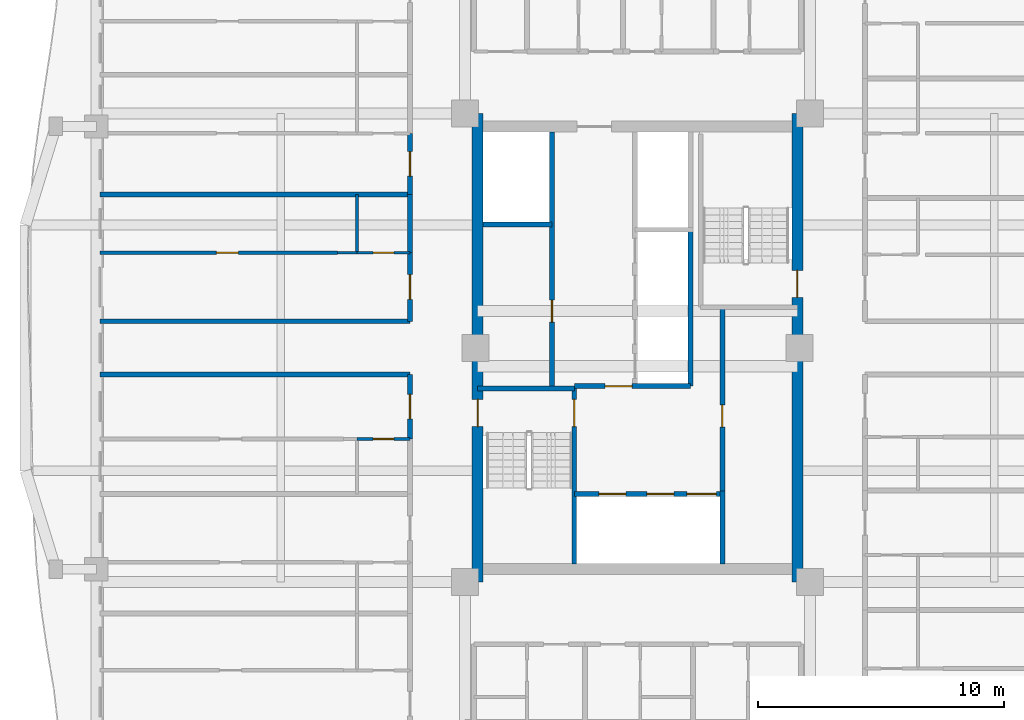
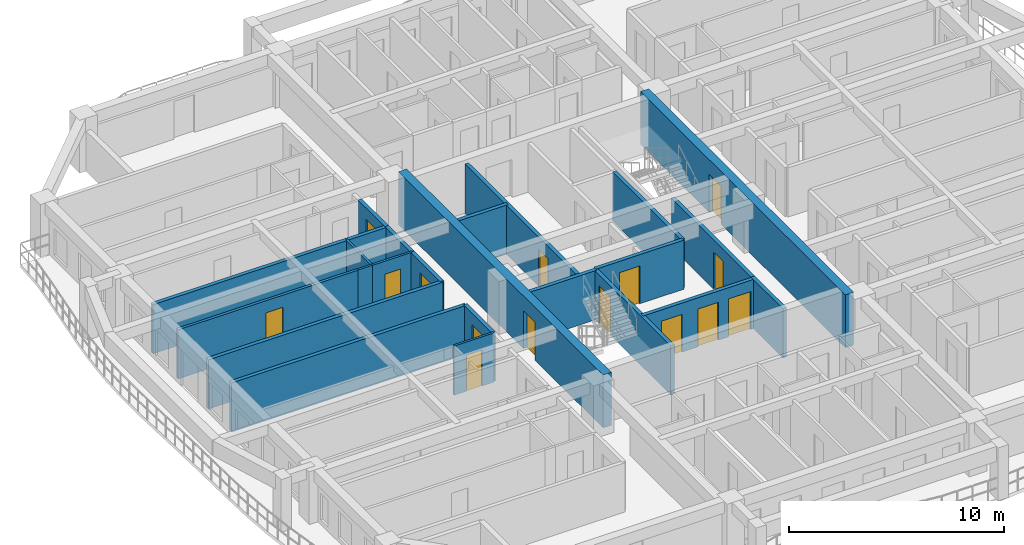
# One storey, part 4 of 15: 23 walls, 15 doors, 15 openings.
"""IFC4 building model written with IfcOpenShell, lengths in metres."""

from ifc_helpers import new_model, si_unit, direction, frame, frame_2d, origin, place, context, subcontext, project, spatial, rectangle, extrude, source, transform, mapped, material, layer, layer_set, type_object, element, fill, save


model = new_model("IFC4")

# Units and contexts
model_context = context("Model", 3, precision=1e-05, world=origin(), true_north=direction((0.0, 1.0)))
body_context = subcontext(model_context, "Body", "Model", "MODEL_VIEW")
ifc_project = project(units=[si_unit("LENGTHUNIT", "METRE"), si_unit("AREAUNIT", "SQUARE_METRE"), si_unit("VOLUMEUNIT", "CUBIC_METRE"), si_unit("PLANEANGLEUNIT", "RADIAN"), si_unit("MASSUNIT", "GRAM", prefix="KILO")], contexts=[model_context])

# Site, building, storey
site_placement = place(None, origin())
site = spatial("IfcSite", under=ifc_project, at=site_placement, CompositionType="ELEMENT")
building_placement = place(site_placement, origin())
building = spatial("IfcBuilding", under=site, at=building_placement, Name="Saelheon Loggia Tower", CompositionType="ELEMENT")
storey_placement = place(building_placement, frame((0.0, 0.0, 163.0)))
storey = spatial("IfcBuildingStorey", under=building, at=storey_placement, Name="L51", CompositionType="ELEMENT", Elevation=163.0)

# Wall, opening, door
ifc_material_1 = material(Name="Concrete C45/55", Category="concrete")
ifc_layer_1 = layer(ifc_material_1, 0.449951171875)
ifc_layer_set_1 = layer_set([ifc_layer_1], Name="Concrete C45/55")
wall_type_1 = type_object("IfcWallType", Name="Wall_CoreShear_450", PredefinedType="SHEAR", material=ifc_layer_set_1)
wall_1_placement = place(storey_placement, frame((31.5, 17.47998046875, 0.0), z_axis=(0.0, 0.0, 1.0), x_axis=(0.0, 1.0, 0.0)))
wall_1 = element("IfcWall", 1, at=wall_1_placement, inside=storey, type_object=wall_type_1, Name="L51 Core Shear Wall West", PredefinedType="SHEAR", context=body_context, shape_type="SweptSolid", body=[
    extrude(rectangle(XDim=19.0400390625, YDim=0.449951171875, at=frame_2d((9.52001953125, 0.0))), origin(), (0.0, 0.0, 1.0), 3.0),
])
opening_1_placement = place(wall_1_placement, frame((6.320068359375, 0.0, 0.0)))
opening_1 = element("IfcOpeningElement", 2, at=opening_1_placement, cuts=wall_1, Name="Opening D-FD2", PredefinedType="OPENING", context=body_context, shape_type="SweptSolid", body=[
    extrude(rectangle(XDim=1.10009765625, YDim=2.14990234375, at=frame_2d((0.550048828125, 1.074951171875))), frame((0.0, 0.237060546875, 0.0), z_axis=(0.0, -1.0, 0.0), x_axis=(1.0, 0.0, 0.0)), (0.0, 0.0, 1.0), 0.473876953125),
])
ifc_material_2 = material(Name="Galvanised Steel Fire Door", Category="steel")
door_type_1 = type_object("IfcDoorType", Name="Door_Fire_FD60_1100", OperationType="NOTDEFINED", PredefinedType="DOOR", material=ifc_material_2)
shared_shape_1 = source(origin(), body_context, "Body", "SweptSolid", [
    extrude(rectangle(XDim=1.10009765625, YDim=2.14990234375, at=frame_2d((0.550048828125, 1.074951171875))), frame((0.0, 0.02490234375, 0.0), z_axis=(0.0, -1.0, 0.0), x_axis=(1.0, 0.0, 0.0)), (0.0, 0.0, 1.0), 0.050048828125),
])
door_1_placement = place(opening_1_placement, origin())
door_1 = element("IfcDoor", 3, at=door_1_placement, inside=storey, type_object=door_type_1, Name="L51 Stair ST1 Corridor Door", OperationType="SINGLE_SWING_LEFT", OverallHeight=2.14990234375, OverallWidth=1.10009765625, PredefinedType="DOOR", context=body_context, shape_type="MappedRepresentation", body=[
    mapped(shared_shape_1, transform((0.0, 0.0, 0.0), scale=1.0)),
])
fill(opening_1, door_1)

wall_2_placement = place(storey_placement, frame((44.5, 17.47998046875, 0.0), z_axis=(0.0, 0.0, 1.0), x_axis=(0.0, 1.0, 0.0)))
wall_2 = element("IfcWall", 4, at=wall_2_placement, inside=storey, type_object=wall_type_1, Name="L51 Core Shear Wall East", PredefinedType="SHEAR", context=body_context, shape_type="SweptSolid", body=[
    extrude(rectangle(XDim=19.0400390625, YDim=0.449951171875, at=frame_2d((9.52001953125, 0.0))), origin(), (0.0, 0.0, 1.0), 3.0),
])
opening_2_placement = place(wall_2_placement, frame((12.670166015625, 0.0, 0.0), z_axis=(0.0, 0.0, 1.0), x_axis=(-1.0, 0.0, 0.0)))
opening_2 = element("IfcOpeningElement", 5, at=opening_2_placement, cuts=wall_2, Name="Opening D-FD2", PredefinedType="OPENING", context=body_context, shape_type="SweptSolid", body=[
    extrude(rectangle(XDim=1.10009765625, YDim=2.14990234375, at=frame_2d((0.550048828125, 1.074951171875))), frame((0.0, 0.237060546875, 0.0), z_axis=(0.0, -1.0, 0.0), x_axis=(1.0, 0.0, 0.0)), (0.0, 0.0, 1.0), 0.473876953125),
])
door_2_placement = place(opening_2_placement, origin())
door_2 = element("IfcDoor", 6, at=door_2_placement, inside=storey, type_object=door_type_1, Name="L51 Stair ST2 Corridor Door", OperationType="SINGLE_SWING_RIGHT", OverallHeight=2.14990234375, OverallWidth=1.10009765625, PredefinedType="DOOR", context=body_context, shape_type="MappedRepresentation", body=[
    mapped(shared_shape_1, transform((0.0, 0.0, 0.0), scale=1.0)),
])
fill(opening_2, door_2)

ifc_material_3 = material(Name="Lightweight Autoclaved Aerated Concrete Block and Acoustic Gypsum", Category="concrete")
ifc_layer_2 = layer(ifc_material_3, 0.14990234375)
ifc_layer_set_2 = layer_set([ifc_layer_2], Name="Lightweight Autoclaved Aerated Concrete Block and Acoustic Gypsum")
wall_type_2 = type_object("IfcWallType", Name="Wall_Part_150", PredefinedType="PARTITIONING", material=ifc_layer_set_2)
wall_3_placement = place(storey_placement, frame((25.81005859375, 30.865966796875, 0.0), z_axis=(0.0, 0.0, 1.0), x_axis=(-1.0, 0.0, 0.0)))
wall_3 = element("IfcWall", 7, at=wall_3_placement, inside=storey, type_object=wall_type_2, Name="L51 WN Partition U08", PredefinedType="PARTITIONING", context=body_context, shape_type="SweptSolid", body=[
    extrude(rectangle(XDim=9.66015625, YDim=0.14990234375, at=frame_2d((4.830078125, 0.0))), origin(), (0.0, 0.0, 1.0), 2.7900390625),
])
opening_3_placement = place(wall_3_placement, frame((4.034912109375, 0.0, 0.0)))
opening_3 = element("IfcOpeningElement", 8, at=opening_3_placement, cuts=wall_3, Name="Opening D-IN2", PredefinedType="OPENING", context=body_context, shape_type="SweptSolid", body=[
    extrude(rectangle(XDim=0.89990234375, YDim=2.10009765625, at=frame_2d((0.449951171875, 1.050048828125))), frame((0.0, 0.0869140625, 0.0), z_axis=(0.0, -1.0, 0.0), x_axis=(1.0, 0.0, 0.0)), (0.0, 0.0, 1.0), 0.173828125),
])
ifc_material_4 = material(Name="Engineered Oak Flush Door", Category="timber")
door_type_2 = type_object("IfcDoorType", Name="Door_Int_900", OperationType="NOTDEFINED", PredefinedType="DOOR", material=ifc_material_4)
shared_shape_2 = source(origin(), body_context, "Body", "SweptSolid", [
    extrude(rectangle(XDim=0.89990234375, YDim=2.10009765625, at=frame_2d((0.449951171875, 1.050048828125))), frame((0.0, 0.02490234375, 0.0), z_axis=(0.0, -1.0, 0.0), x_axis=(1.0, 0.0, 0.0)), (0.0, 0.0, 1.0), 0.050048828125),
])
door_3_placement = place(opening_3_placement, origin())
door_3 = element("IfcDoor", 9, at=door_3_placement, inside=storey, type_object=door_type_2, Name="Unit U10 Kitchen Door", OperationType="SINGLE_SWING_RIGHT", OverallHeight=2.10009765625, OverallWidth=0.89990234375, PredefinedType="DOOR", context=body_context, shape_type="MappedRepresentation", body=[
    mapped(shared_shape_2, transform((0.0, 0.0, 0.0), scale=1.0)),
])
fill(opening_3, door_3)

# Wall
ifc_material_5 = material(Name="Double Acoustic Stud and Fireboard Partition", Category="gypsum")
ifc_layer_3 = layer(ifc_material_5, 0.199951171875)
ifc_layer_set_3 = layer_set([ifc_layer_3], Name="Double Acoustic Stud and Fireboard Partition")
wall_type_3 = type_object("IfcWallType", Name="Wall_Party_200", PredefinedType="PARTITIONING", material=ifc_layer_set_3)
wall_4_placement = place(storey_placement, frame((28.75, 25.919921875, 0.0), z_axis=(0.0, 0.0, 1.0), x_axis=(-1.0, 0.0, 0.0)))
element("IfcWall", 10, at=wall_4_placement, inside=storey, type_object=wall_type_3, Name="L51 WS Partition U02", PredefinedType="PARTITIONING", context=body_context, shape_type="SweptSolid", body=[
    extrude(rectangle(XDim=12.60009765625, YDim=0.199951171875, at=frame_2d((6.300048828125, 0.0))), origin(), (0.0, 0.0, 1.0), 2.7900390625),
])

# Wall, opening, door
wall_5_placement = place(storey_placement, frame((28.75, 23.293212890625, 0.0), z_axis=(0.0, 0.0, 1.0), x_axis=(0.0, 1.0, 0.0)))
wall_5 = element("IfcWall", 11, at=wall_5_placement, inside=storey, type_object=wall_type_3, Name="L51 WS Partition V18", PredefinedType="PARTITIONING", context=body_context, shape_type="SweptSolid", body=[
    extrude(rectangle(XDim=2.626708984375, YDim=0.199951171875, at=frame_2d((1.3134765625, 0.0))), origin(), (0.0, 0.0, 1.0), 2.7900390625),
])
opening_4_placement = place(wall_5_placement, frame((0.8134765625, 0.0, 0.0)))
opening_4 = element("IfcOpeningElement", 12, at=opening_4_placement, cuts=wall_5, Name="Opening D-FD1", PredefinedType="OPENING", context=body_context, shape_type="SweptSolid", body=[
    extrude(rectangle(XDim=1.0, YDim=2.14990234375, at=frame_2d((0.5, 1.074951171875))), frame((0.0, 0.112060546875, 0.0), z_axis=(0.0, -1.0, 0.0), x_axis=(1.0, 0.0, 0.0)), (0.0, 0.0, 1.0), 0.223876953125),
])
ifc_material_6 = material(Name="Fire-Rated Engineered Timber Entrance Door", Category="wood")
door_type_3 = type_object("IfcDoorType", Name="Door_Flat_FD30S", OperationType="NOTDEFINED", PredefinedType="DOOR", material=ifc_material_6)
shared_shape_3 = source(origin(), body_context, "Body", "SweptSolid", [
    extrude(rectangle(XDim=1.0, YDim=2.14990234375, at=frame_2d((0.5, 1.074951171875))), frame((0.0, 0.02490234375, 0.0), z_axis=(0.0, -1.0, 0.0), x_axis=(1.0, 0.0, 0.0)), (0.0, 0.0, 1.0), 0.050048828125),
])
door_4_placement = place(opening_4_placement, origin())
door_4 = element("IfcDoor", 13, at=door_4_placement, inside=storey, type_object=door_type_3, Name="Unit U09 Entrance Door", OperationType="SINGLE_SWING_LEFT", OverallHeight=2.14990234375, OverallWidth=1.0, PredefinedType="DOOR", context=body_context, shape_type="MappedRepresentation", body=[
    mapped(shared_shape_3, transform((0.0, 0.0, 0.0), scale=1.0)),
])
fill(opening_4, door_4)

# Wall
wall_6_placement = place(storey_placement, frame((28.75, 28.080078125, 0.0), z_axis=(0.0, 0.0, 1.0), x_axis=(-1.0, 0.0, 0.0)))
element("IfcWall", 14, at=wall_6_placement, inside=storey, type_object=wall_type_3, Name="L51 WN Partition U01", PredefinedType="PARTITIONING", context=body_context, shape_type="SweptSolid", body=[
    extrude(rectangle(XDim=12.60009765625, YDim=0.199951171875, at=frame_2d((6.300048828125, 0.0))), origin(), (0.0, 0.0, 1.0), 2.7900390625),
])

# Wall, opening, door
wall_7_placement = place(storey_placement, frame((28.75, 28.080078125, 0.0), z_axis=(0.0, 0.0, 1.0), x_axis=(0.0, 1.0, 0.0)))
wall_7 = element("IfcWall", 15, at=wall_7_placement, inside=storey, type_object=wall_type_3, Name="L51 WN Partition V03", PredefinedType="PARTITIONING", context=body_context, shape_type="SweptSolid", body=[
    extrude(rectangle(XDim=2.785888671875, YDim=0.199951171875, at=frame_2d((1.39306640625, 0.0))), origin(), (0.0, 0.0, 1.0), 2.7900390625),
])
opening_5_placement = place(wall_7_placement, frame((0.89306640625, 0.0, 0.0)))
opening_5 = element("IfcOpeningElement", 16, at=opening_5_placement, cuts=wall_7, Name="Opening D-FD1", PredefinedType="OPENING", context=body_context, shape_type="SweptSolid", body=[
    extrude(rectangle(XDim=1.0, YDim=2.14990234375, at=frame_2d((0.5, 1.074951171875))), frame((0.0, 0.112060546875, 0.0), z_axis=(0.0, -1.0, 0.0), x_axis=(1.0, 0.0, 0.0)), (0.0, 0.0, 1.0), 0.223876953125),
])
door_5_placement = place(opening_5_placement, origin())
door_5 = element("IfcDoor", 17, at=door_5_placement, inside=storey, type_object=door_type_3, Name="Unit U10 Entrance Door", OperationType="SINGLE_SWING_RIGHT", OverallHeight=2.14990234375, OverallWidth=1.0, PredefinedType="DOOR", context=body_context, shape_type="MappedRepresentation", body=[
    mapped(shared_shape_3, transform((0.0, 0.0, 0.0), scale=1.0)),
])
fill(opening_5, door_5)

# Walls
wall_8_placement = place(storey_placement, frame((28.75, 30.865966796875, 0.0), z_axis=(0.0, 0.0, 1.0), x_axis=(0.0, 1.0, 0.0)))
element("IfcWall", 18, at=wall_8_placement, inside=storey, type_object=wall_type_3, Name="L51 WN Partition V04", PredefinedType="PARTITIONING", context=body_context, shape_type="SweptSolid", body=[
    extrude(rectangle(XDim=2.373046875, YDim=0.199951171875, at=frame_2d((1.1865234375, 0.0))), origin(), (0.0, 0.0, 1.0), 2.7900390625),
])
wall_9_placement = place(storey_placement, frame((28.75, 33.239013671875, 0.0), z_axis=(0.0, 0.0, 1.0), x_axis=(-1.0, 0.0, 0.0)))
element("IfcWall", 19, at=wall_9_placement, inside=storey, type_object=wall_type_3, Name="L51 WN Partition U09", PredefinedType="PARTITIONING", context=body_context, shape_type="SweptSolid", body=[
    extrude(rectangle(XDim=12.60009765625, YDim=0.199951171875, at=frame_2d((6.300048828125, 0.0))), origin(), (0.0, 0.0, 1.0), 2.7900390625),
])

# Wall, opening, door
wall_10_placement = place(storey_placement, frame((28.75, 33.239013671875, 0.0), z_axis=(0.0, 0.0, 1.0), x_axis=(0.0, 1.0, 0.0)))
wall_10 = element("IfcWall", 20, at=wall_10_placement, inside=storey, type_object=wall_type_3, Name="L51 WN Partition V10", PredefinedType="PARTITIONING", context=body_context, shape_type="SweptSolid", body=[
    extrude(rectangle(XDim=2.48095703125, YDim=0.199951171875, at=frame_2d((1.240478515625, 0.0))), origin(), (0.0, 0.0, 1.0), 2.7900390625),
])
opening_6_placement = place(wall_10_placement, frame((0.740478515625, 0.0, 0.0)))
opening_6 = element("IfcOpeningElement", 21, at=opening_6_placement, cuts=wall_10, Name="Opening D-FD1", PredefinedType="OPENING", context=body_context, shape_type="SweptSolid", body=[
    extrude(rectangle(XDim=1.0, YDim=2.14990234375, at=frame_2d((0.5, 1.074951171875))), frame((0.0, 0.112060546875, 0.0), z_axis=(0.0, -1.0, 0.0), x_axis=(1.0, 0.0, 0.0)), (0.0, 0.0, 1.0), 0.223876953125),
])
door_6_placement = place(opening_6_placement, origin())
door_6 = element("IfcDoor", 22, at=door_6_placement, inside=storey, type_object=door_type_3, Name="Unit U11 Entrance Door", OperationType="SINGLE_SWING_LEFT", OverallHeight=2.14990234375, OverallWidth=1.0, PredefinedType="DOOR", context=body_context, shape_type="MappedRepresentation", body=[
    mapped(shared_shape_3, transform((0.0, 0.0, 0.0), scale=1.0)),
])
fill(opening_6, door_6)

# Wall
ifc_material_7 = material(Name="Concrete C40/50", Category="concrete")
ifc_layer_4 = layer(ifc_material_7, 0.199951171875)
ifc_layer_set_4 = layer_set([ifc_layer_4], Name="Concrete C40/50")
wall_type_4 = type_object("IfcWallType", Name="Wall_Shaft_200", PredefinedType="PARTITIONING", material=ifc_layer_set_4)
wall_11_placement = place(storey_placement, frame((41.449951171875, 18.219970703125, 0.0), z_axis=(0.0, 0.0, 1.0), x_axis=(0.0, 1.0, 0.0)))
element("IfcWall", 23, at=wall_11_placement, inside=storey, type_object=wall_type_4, Name="CW-INT-L51-BOH-W0", PredefinedType="PARTITIONING", context=body_context, shape_type="SweptSolid", body=[
    extrude(rectangle(XDim=2.9599609375, YDim=0.199951171875, at=frame_2d((1.47998046875, 0.0))), origin(), (0.0, 0.0, 1.0), 2.7900390625),
])

# Wall, opening, door
wall_12_placement = place(storey_placement, frame((41.449951171875, 21.179931640625, 0.0), z_axis=(0.0, 0.0, 1.0), x_axis=(0.0, 1.0, 0.0)))
wall_12 = element("IfcWall", 24, at=wall_12_placement, inside=storey, type_object=wall_type_4, Name="CW-INT-L51-BOH-W1", PredefinedType="PARTITIONING", context=body_context, shape_type="SweptSolid", body=[
    extrude(rectangle(XDim=7.420166015625, YDim=0.199951171875, at=frame_2d((3.7099609375, 0.0))), origin(), (0.0, 0.0, 1.0), 2.7900390625),
])
opening_7_placement = place(wall_12_placement, frame((2.60009765625, 0.0, 0.0)))
opening_7 = element("IfcOpeningElement", 25, at=opening_7_placement, cuts=wall_12, Name="Opening D-RS1", PredefinedType="OPENING", context=body_context, shape_type="SweptSolid", body=[
    extrude(rectangle(XDim=0.89990234375, YDim=2.10009765625, at=frame_2d((0.449951171875, 1.050048828125))), frame((0.0, 0.112060546875, 0.0), z_axis=(0.0, -1.0, 0.0), x_axis=(1.0, 0.0, 0.0)), (0.0, 0.0, 1.0), 0.223876953125),
])
ifc_material_8 = material(Name="Galvanised Steel Riser Access Door", Category="steel")
door_type_4 = type_object("IfcDoorType", Name="Door_Riser_FD60", OperationType="NOTDEFINED", PredefinedType="DOOR", material=ifc_material_8)
door_7_placement = place(opening_7_placement, origin())
door_7 = element("IfcDoor", 26, at=door_7_placement, inside=storey, type_object=door_type_4, Name="L51 Core Service Store Door", OperationType="SINGLE_SWING_RIGHT", OverallHeight=2.10009765625, OverallWidth=0.89990234375, PredefinedType="DOOR", context=body_context, shape_type="MappedRepresentation", body=[
    mapped(shared_shape_2, transform((0.0, 0.0, 0.0), scale=1.0)),
])
fill(opening_7, door_7)

# Wall
wall_13_placement = place(storey_placement, frame((40.14990234375, 25.43994140625, 0.0), z_axis=(0.0, 0.0, 1.0), x_axis=(0.0, 1.0, 0.0)))
element("IfcWall", 27, at=wall_13_placement, inside=storey, type_object=wall_type_4, Name="L51 Core Service Passage West Wall", PredefinedType="PARTITIONING", context=body_context, shape_type="SweptSolid", body=[
    extrude(rectangle(XDim=6.360107421875, YDim=0.199951171875, at=frame_2d((3.18017578125, 0.0))), origin(), (0.0, 0.0, 1.0), 2.7900390625),
])

# Wall, openings, doors
wall_14_placement = place(storey_placement, frame((35.429931640625, 21.06005859375, 0.0), z_axis=(0.0, 0.0, 1.0), x_axis=(1.0, 0.0, 0.0)))
wall_14 = element("IfcWall", 28, at=wall_14_placement, inside=storey, type_object=wall_type_4, Name="L51 Firefighting Lift Shaft Front Wall", PredefinedType="PARTITIONING", context=body_context, shape_type="SweptSolid", body=[
    extrude(rectangle(XDim=6.02001953125, YDim=0.199951171875, at=frame_2d((3.010009765625, 0.0))), origin(), (0.0, 0.0, 1.0), 2.7900390625),
])
opening_8_placement = place(wall_14_placement, frame((1.0, 0.0, 0.0)))
opening_8 = element("IfcOpeningElement", 29, at=opening_8_placement, cuts=wall_14, Name="Opening LD2", PredefinedType="OPENING", context=body_context, shape_type="SweptSolid", body=[
    extrude(rectangle(XDim=1.10009765625, YDim=2.14990234375, at=frame_2d((0.550048828125, 1.074951171875))), frame((0.0, 0.112060546875, 0.0), z_axis=(0.0, -1.0, 0.0), x_axis=(1.0, 0.0, 0.0)), (0.0, 0.0, 1.0), 0.223876953125),
])
opening_9_placement = place(wall_14_placement, frame((2.949951171875, 0.0, 0.0)))
opening_9 = element("IfcOpeningElement", 30, at=opening_9_placement, cuts=wall_14, Name="Opening LD2", PredefinedType="OPENING", context=body_context, shape_type="SweptSolid", body=[
    extrude(rectangle(XDim=1.10009765625, YDim=2.14990234375, at=frame_2d((0.550048828125, 1.074951171875))), frame((0.0, 0.112060546875, 0.0), z_axis=(0.0, -1.0, 0.0), x_axis=(1.0, 0.0, 0.0)), (0.0, 0.0, 1.0), 0.223876953125),
])
opening_10_placement = place(wall_14_placement, frame((4.580078125, 0.0, 0.0)))
opening_10 = element("IfcOpeningElement", 31, at=opening_10_placement, cuts=wall_14, Name="Opening LD3", PredefinedType="OPENING", context=body_context, shape_type="SweptSolid", body=[
    extrude(rectangle(XDim=1.199951171875, YDim=2.14990234375, at=frame_2d((0.60009765625, 1.074951171875))), frame((0.0, 0.112060546875, 0.0), z_axis=(0.0, -1.0, 0.0), x_axis=(1.0, 0.0, 0.0)), (0.0, 0.0, 1.0), 0.223876953125),
])
ifc_material_9 = material(Name="Firefighting Stainless Steel 316 Landing Door", Category="steel")
door_type_5 = type_object("IfcDoorType", Name="Door_Lift_LD2", OperationType="DOUBLE_DOOR_SLIDING", PredefinedType="DOOR", material=ifc_material_9)
door_8_placement = place(opening_8_placement, origin())
door_8 = element("IfcDoor", 32, at=door_8_placement, inside=storey, type_object=door_type_5, Name="L51 FF1 Landing Door", OperationType="DOUBLE_DOOR_SLIDING", OverallHeight=2.14990234375, OverallWidth=1.10009765625, PredefinedType="DOOR", context=body_context, shape_type="MappedRepresentation", body=[
    mapped(shared_shape_1, transform((0.0, 0.0, 0.0), scale=1.0)),
])
fill(opening_8, door_8)
door_9_placement = place(opening_9_placement, origin())
door_9 = element("IfcDoor", 33, at=door_9_placement, inside=storey, type_object=door_type_5, Name="L51 FF2 Landing Door", OperationType="DOUBLE_DOOR_SLIDING", OverallHeight=2.14990234375, OverallWidth=1.10009765625, PredefinedType="DOOR", context=body_context, shape_type="MappedRepresentation", body=[
    mapped(shared_shape_1, transform((0.0, 0.0, 0.0), scale=1.0)),
])
fill(opening_9, door_9)
ifc_material_10 = material(Name="Stretcher Lift Stainless Steel 304 Landing Door", Category="steel")
door_type_6 = type_object("IfcDoorType", Name="Door_Lift_LD3", OperationType="DOUBLE_DOOR_SLIDING", PredefinedType="DOOR", material=ifc_material_10)
shared_shape_4 = source(origin(), body_context, "Body", "SweptSolid", [
    extrude(rectangle(XDim=1.199951171875, YDim=2.14990234375, at=frame_2d((0.60009765625, 1.074951171875))), frame((0.0, 0.02490234375, 0.0), z_axis=(0.0, -1.0, 0.0), x_axis=(1.0, 0.0, 0.0)), (0.0, 0.0, 1.0), 0.050048828125),
])
door_10_placement = place(opening_10_placement, origin())
door_10 = element("IfcDoor", 34, at=door_10_placement, inside=storey, type_object=door_type_6, Name="L51 SV1 Landing Door", OperationType="DOUBLE_DOOR_SLIDING", OverallHeight=2.14990234375, OverallWidth=1.199951171875, PredefinedType="DOOR", context=body_context, shape_type="MappedRepresentation", body=[
    mapped(shared_shape_4, transform((0.0, 0.0, 0.0), scale=1.0)),
])
fill(opening_10, door_10)

# Wall, opening, door
wall_15_placement = place(storey_placement, frame((35.429931640625, 25.43994140625, 0.0), z_axis=(0.0, 0.0, 1.0), x_axis=(1.0, 0.0, 0.0)))
wall_15 = element("IfcWall", 35, at=wall_15_placement, inside=storey, type_object=wall_type_4, Name="L51 Firefighting Lobby Compartment Wall", PredefinedType="PARTITIONING", context=body_context, shape_type="SweptSolid", body=[
    extrude(rectangle(XDim=4.719970703125, YDim=0.199951171875, at=frame_2d((2.35986328125, 0.0))), origin(), (0.0, 0.0, 1.0), 2.7900390625),
])
opening_11_placement = place(wall_15_placement, frame((1.25, 0.0, 0.0)))
opening_11 = element("IfcOpeningElement", 36, at=opening_11_placement, cuts=wall_15, Name="Opening D-FD2", PredefinedType="OPENING", context=body_context, shape_type="SweptSolid", body=[
    extrude(rectangle(XDim=1.10009765625, YDim=2.14990234375, at=frame_2d((0.550048828125, 1.074951171875))), frame((0.0, 0.112060546875, 0.0), z_axis=(0.0, -1.0, 0.0), x_axis=(1.0, 0.0, 0.0)), (0.0, 0.0, 1.0), 0.223876953125),
])
door_11_placement = place(opening_11_placement, origin())
door_11 = element("IfcDoor", 37, at=door_11_placement, inside=storey, type_object=door_type_1, Name="L51 Firefighting Lobby Door", OperationType="SINGLE_SWING_LEFT", OverallHeight=2.14990234375, OverallWidth=1.10009765625, PredefinedType="DOOR", context=body_context, shape_type="MappedRepresentation", body=[
    mapped(shared_shape_1, transform((0.0, 0.0, 0.0), scale=1.0)),
])
fill(opening_11, door_11)

wall_16_placement = place(storey_placement, frame((34.52001953125, 25.43994140625, 0.0), z_axis=(0.0, 0.0, 1.0), x_axis=(0.0, 1.0, 0.0)))
wall_16 = element("IfcWall", 38, at=wall_16_placement, inside=storey, type_object=wall_type_4, Name="L51 West Passenger Lift Bank Wall", PredefinedType="PARTITIONING", context=body_context, shape_type="SweptSolid", body=[
    extrude(rectangle(XDim=10.340087890625, YDim=0.199951171875, at=frame_2d((5.169921875, 0.0))), origin(), (0.0, 0.0, 1.0), 2.7900390625),
])
opening_12_placement = place(wall_16_placement, frame((2.60009765625, 0.0, 0.0)))
opening_12 = element("IfcOpeningElement", 39, at=opening_12_placement, cuts=wall_16, Name="Opening D-RS1", PredefinedType="OPENING", context=body_context, shape_type="SweptSolid", body=[
    extrude(rectangle(XDim=0.89990234375, YDim=2.10009765625, at=frame_2d((0.449951171875, 1.050048828125))), frame((0.0, 0.112060546875, 0.0), z_axis=(0.0, -1.0, 0.0), x_axis=(1.0, 0.0, 0.0)), (0.0, 0.0, 1.0), 0.223876953125),
])
door_12_placement = place(opening_12_placement, origin())
door_12 = element("IfcDoor", 40, at=door_12_placement, inside=storey, type_object=door_type_4, Name="L51 Core Parcel Room Door", OperationType="SINGLE_SWING_LEFT", OverallHeight=2.10009765625, OverallWidth=0.89990234375, PredefinedType="DOOR", context=body_context, shape_type="MappedRepresentation", body=[
    mapped(shared_shape_2, transform((0.0, 0.0, 0.0), scale=1.0)),
])
fill(opening_12, door_12)

# Wall
wall_17_placement = place(storey_placement, frame((31.719970703125, 32.02001953125, 0.0), z_axis=(0.0, 0.0, 1.0), x_axis=(1.0, 0.0, 0.0)))
element("IfcWall", 41, at=wall_17_placement, inside=storey, type_object=wall_type_4, Name="L51 West High-Rise Shaft Divider", PredefinedType="PARTITIONING", context=body_context, shape_type="SweptSolid", body=[
    extrude(rectangle(XDim=2.800048828125, YDim=0.199951171875, at=frame_2d((1.39990234375, 0.0))), origin(), (0.0, 0.0, 1.0), 2.7900390625),
])

# Wall, opening, door
ifc_layer_5 = layer(ifc_material_1, 0.199951171875)
ifc_layer_set_5 = layer_set([ifc_layer_5], Name="Concrete C45/55")
wall_type_5 = type_object("IfcWallType", Name="Wall_StairShaft_RC200", PredefinedType="SOLIDWALL", material=ifc_layer_set_5)
wall_18_placement = place(storey_placement, frame((35.429931640625, 18.219970703125, 0.0), z_axis=(0.0, 0.0, 1.0), x_axis=(0.0, 1.0, 0.0)))
wall_18 = element("IfcWall", 42, at=wall_18_placement, inside=storey, type_object=wall_type_5, Name="L51 Stair ST1 Shaft Wall", PredefinedType="SOLIDWALL", context=body_context, shape_type="SweptSolid", body=[
    extrude(rectangle(XDim=7.219970703125, YDim=0.199951171875, at=frame_2d((3.60986328125, 0.0))), origin(), (0.0, 0.0, 1.0), 2.7900390625),
])
opening_13_placement = place(wall_18_placement, frame((6.68017578125, 0.0, 0.0), z_axis=(0.0, 0.0, 1.0), x_axis=(-1.0, 0.0, 0.0)))
opening_13 = element("IfcOpeningElement", 43, at=opening_13_placement, cuts=wall_18, Name="Opening D-FD2", PredefinedType="OPENING", context=body_context, shape_type="SweptSolid", body=[
    extrude(rectangle(XDim=1.10009765625, YDim=2.14990234375, at=frame_2d((0.550048828125, 1.074951171875))), frame((0.0, 0.112060546875, 0.0), z_axis=(0.0, -1.0, 0.0), x_axis=(1.0, 0.0, 0.0)), (0.0, 0.0, 1.0), 0.223876953125),
])
door_13_placement = place(opening_13_placement, origin())
door_13 = element("IfcDoor", 44, at=door_13_placement, inside=storey, type_object=door_type_1, Name="L51 Stair ST1 Lobby Door", OperationType="SINGLE_SWING_RIGHT", OverallHeight=2.14990234375, OverallWidth=1.10009765625, PredefinedType="DOOR", context=body_context, shape_type="MappedRepresentation", body=[
    mapped(shared_shape_1, transform((0.0, 0.0, 0.0), scale=1.0)),
])
fill(opening_13, door_13)

# Wall
wall_19_placement = place(storey_placement, frame((31.5, 25.35009765625, 0.0), z_axis=(0.0, 0.0, 1.0), x_axis=(1.0, 0.0, 0.0)))
element("IfcWall", 45, at=wall_19_placement, inside=storey, type_object=wall_type_5, Name="L51 Stair ST1 North Wall", PredefinedType="SOLIDWALL", context=body_context, shape_type="SweptSolid", body=[
    extrude(rectangle(XDim=3.929931640625, YDim=0.199951171875, at=frame_2d((1.96484375, 0.0))), origin(), (0.0, 0.0, 1.0), 2.7900390625),
])

# Wall, opening, door
ifc_material_11 = material(Name="Moisture-Resistant Cement Board Partition", Category="gypsum")
ifc_layer_6 = layer(ifc_material_11, 0.1201171875)
ifc_layer_set_6 = layer_set([ifc_layer_6], Name="Moisture-Resistant Cement Board Partition")
wall_type_6 = type_object("IfcWallType", Name="Wall_WetPart_120", PredefinedType="PARTITIONING", material=ifc_layer_set_6)
wall_20_placement = place(storey_placement, frame((28.75, 23.293212890625, 0.0), z_axis=(0.0, 0.0, 1.0), x_axis=(-1.0, 0.0, 0.0)))
wall_20 = element("IfcWall", 46, at=wall_20_placement, inside=storey, type_object=wall_type_6, Name="L51 WS Partition U19", PredefinedType="PARTITIONING", context=body_context, shape_type="SweptSolid", body=[
    extrude(rectangle(XDim=2.14990234375, YDim=0.1201171875, at=frame_2d((1.074951171875, 0.0))), origin(), (0.0, 0.0, 1.0), 2.7900390625),
])
opening_14_placement = place(wall_20_placement, frame((0.64990234375, 0.0, 0.0)))
opening_14 = element("IfcOpeningElement", 47, at=opening_14_placement, cuts=wall_20, Name="Opening D-BT1", PredefinedType="OPENING", context=body_context, shape_type="SweptSolid", body=[
    extrude(rectangle(XDim=0.85009765625, YDim=2.050048828125, at=frame_2d((0.425048828125, 1.02490234375))), frame((0.0, 0.072021484375, 0.0), z_axis=(0.0, -1.0, 0.0), x_axis=(1.0, 0.0, 0.0)), (0.0, 0.0, 1.0), 0.14404296875),
])
ifc_material_12 = material(Name="Moisture-Resistant Laminate Timber Door", Category="wood")
door_type_7 = type_object("IfcDoorType", Name="Door_Bath_850", OperationType="NOTDEFINED", PredefinedType="DOOR", material=ifc_material_12)
shared_shape_5 = source(origin(), body_context, "Body", "SweptSolid", [
    extrude(rectangle(XDim=0.85009765625, YDim=2.050048828125, at=frame_2d((0.425048828125, 1.02490234375))), frame((0.0, 0.02490234375, 0.0), z_axis=(0.0, -1.0, 0.0), x_axis=(1.0, 0.0, 0.0)), (0.0, 0.0, 1.0), 0.050048828125),
])
door_14_placement = place(opening_14_placement, origin())
door_14 = element("IfcDoor", 48, at=door_14_placement, inside=storey, type_object=door_type_7, Name="Unit U09 Bathroom Door", OperationType="SINGLE_SWING_RIGHT", OverallHeight=2.050048828125, OverallWidth=0.85009765625, PredefinedType="DOOR", context=body_context, shape_type="MappedRepresentation", body=[
    mapped(shared_shape_5, transform((0.0, 0.0, 0.0), scale=1.0)),
])
fill(opening_14, door_14)

wall_21_placement = place(storey_placement, frame((28.75, 30.865966796875, 0.0), z_axis=(0.0, 0.0, 1.0), x_axis=(-1.0, 0.0, 0.0)))
wall_21 = element("IfcWall", 49, at=wall_21_placement, inside=storey, type_object=wall_type_6, Name="L51 WN Partition U05", PredefinedType="PARTITIONING", context=body_context, shape_type="SweptSolid", body=[
    extrude(rectangle(XDim=2.14990234375, YDim=0.1201171875, at=frame_2d((1.074951171875, 0.0))), origin(), (0.0, 0.0, 1.0), 2.7900390625),
])
opening_15_placement = place(wall_21_placement, frame((0.64990234375, 0.0, 0.0)))
opening_15 = element("IfcOpeningElement", 50, at=opening_15_placement, cuts=wall_21, Name="Opening D-BT1", PredefinedType="OPENING", context=body_context, shape_type="SweptSolid", body=[
    extrude(rectangle(XDim=0.85009765625, YDim=2.050048828125, at=frame_2d((0.425048828125, 1.02490234375))), frame((0.0, 0.072021484375, 0.0), z_axis=(0.0, -1.0, 0.0), x_axis=(1.0, 0.0, 0.0)), (0.0, 0.0, 1.0), 0.14404296875),
])
door_15_placement = place(opening_15_placement, origin())
door_15 = element("IfcDoor", 51, at=door_15_placement, inside=storey, type_object=door_type_7, Name="Unit U10 Bathroom Door", OperationType="SINGLE_SWING_LEFT", OverallHeight=2.050048828125, OverallWidth=0.85009765625, PredefinedType="DOOR", context=body_context, shape_type="MappedRepresentation", body=[
    mapped(shared_shape_5, transform((0.0, 0.0, 0.0), scale=1.0)),
])
fill(opening_15, door_15)

# Walls
wall_22_placement = place(storey_placement, frame((26.60009765625, 30.865966796875, 0.0), z_axis=(0.0, 0.0, 1.0), x_axis=(-1.0, 0.0, 0.0)))
element("IfcWall", 52, at=wall_22_placement, inside=storey, type_object=wall_type_6, Name="L51 WN Partition U06", PredefinedType="PARTITIONING", context=body_context, shape_type="SweptSolid", body=[
    extrude(rectangle(XDim=0.7900390625, YDim=0.1201171875, at=frame_2d((0.39501953125, 0.0))), origin(), (0.0, 0.0, 1.0), 2.7900390625),
])
wall_23_placement = place(storey_placement, frame((26.60009765625, 30.865966796875, 0.0), z_axis=(0.0, 0.0, 1.0), x_axis=(0.0, 1.0, 0.0)))
element("IfcWall", 53, at=wall_23_placement, inside=storey, type_object=wall_type_6, Name="L51 WN Partition V07", PredefinedType="PARTITIONING", context=body_context, shape_type="SweptSolid", body=[
    extrude(rectangle(XDim=2.373046875, YDim=0.1201171875, at=frame_2d((1.1865234375, 0.0))), origin(), (0.0, 0.0, 1.0), 2.7900390625),
])

save(model, "model.ifc")
